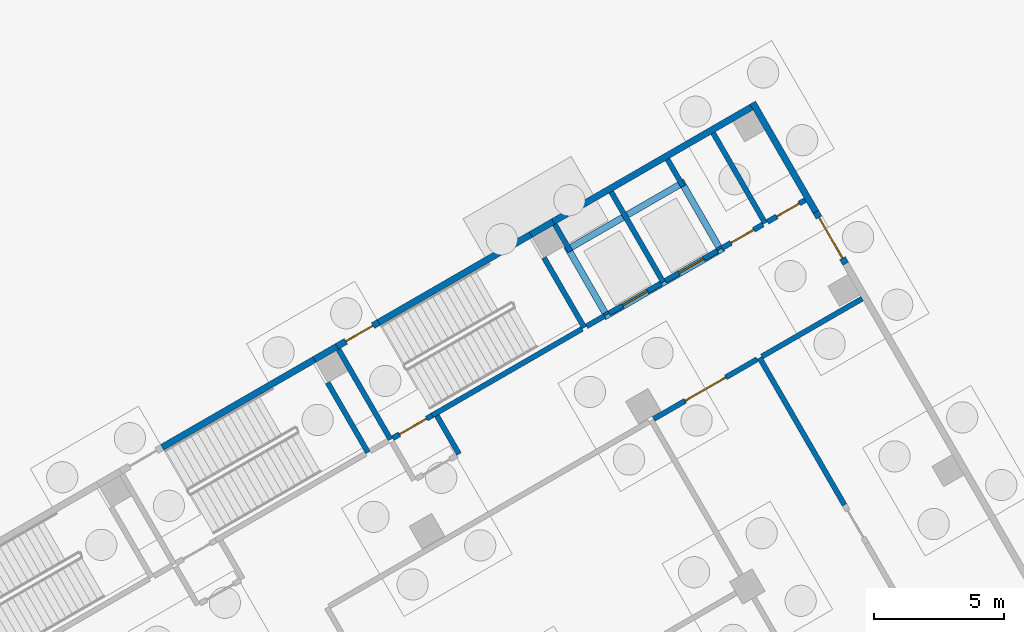
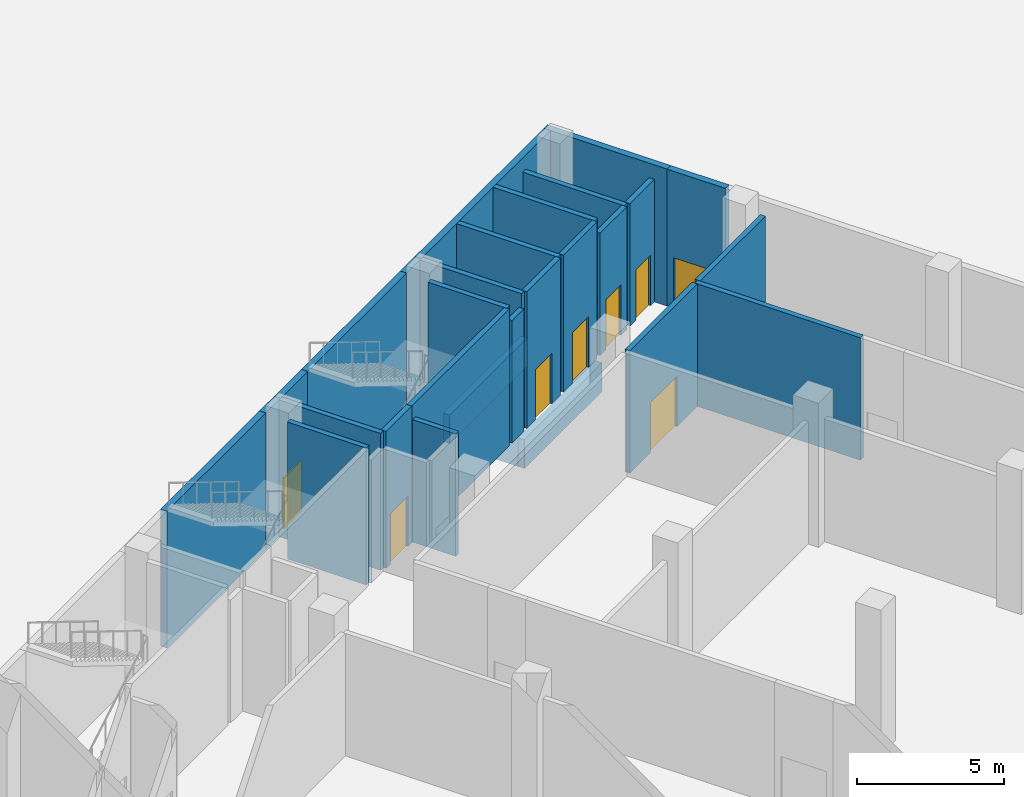
# One storey, part 25 of 38: 30 walls, 8 doors, 8 openings.
"""IFC4 building model written with IfcOpenShell, lengths in metres."""

from ifc_helpers import new_model, si_unit, direction, frame, frame_2d, origin, place, context, subcontext, project, spatial, rectangle, extrude, material, layer, layer_set, type_object, element, fill, save


model = new_model("IFC4")

# Units and contexts
model_context = context("Model", 3, precision=1e-05, world=origin(), true_north=direction((0.0, 1.0)))
body_context = subcontext(model_context, "Body", "Model", "MODEL_VIEW")
ifc_project = project(units=[si_unit("LENGTHUNIT", "METRE"), si_unit("AREAUNIT", "SQUARE_METRE"), si_unit("VOLUMEUNIT", "CUBIC_METRE"), si_unit("PLANEANGLEUNIT", "RADIAN"), si_unit("MASSUNIT", "GRAM", prefix="KILO")], contexts=[model_context])

# Site, building, storey
site_placement = place(None, origin())
site = spatial("IfcSite", under=ifc_project, at=site_placement, CompositionType="ELEMENT")
building_placement = place(site_placement, origin())
building = spatial("IfcBuilding", under=site, at=building_placement, Name="Mestral Congress Tower", CompositionType="ELEMENT")
storey_placement = place(building_placement, origin())
storey = spatial("IfcBuildingStorey", under=building, at=storey_placement, Name="L00", CompositionType="ELEMENT", Elevation=0.0)

# Walls
ifc_material_1 = material(Name="Concrete C35/45", Category="concrete")
ifc_layer_1 = layer(ifc_material_1, 0.25)
ifc_layer_set_1 = layer_set([ifc_layer_1], Name="Concrete C35/45")
wall_type_1 = type_object("IfcWallType", Name="Lift pit wall 250 C35/45", PredefinedType="SOLIDWALL", material=ifc_layer_set_1)
wall_1_placement = place(storey_placement, frame((38.193603515625, 63.302734375, -1.5), z_axis=(0.0, 0.0, 1.0), x_axis=(0.866009148195, 0.50002815445, 0.0)))
element("IfcWall", 1, at=wall_1_placement, inside=storey, type_object=wall_type_1, Name="WL-PIT-E1-A", PredefinedType="SOLIDWALL", context=body_context, shape_type="SweptSolid", body=[
    extrude(rectangle(XDim=5.300048828125, YDim=0.25, at=frame_2d((2.64990234375, 0.0))), origin(), (0.0, 0.0, 1.0), 1.199951171875),
])
wall_2_placement = place(storey_placement, frame((36.718505859375, 65.857421875, -1.5), z_axis=(0.0, 0.0, 1.0), x_axis=(0.866020664882, 0.50000820793, 0.0)))
element("IfcWall", 2, at=wall_2_placement, inside=storey, type_object=wall_type_1, Name="WL-PIT-E1-B", PredefinedType="SOLIDWALL", context=body_context, shape_type="SweptSolid", body=[
    extrude(rectangle(XDim=5.30029296875, YDim=0.25, at=frame_2d((2.650146484375, 0.0))), origin(), (0.0, 0.0, 1.0), 1.199951171875),
])
wall_3_placement = place(storey_placement, frame((38.2392578125, 63.473388671875, -1.5), z_axis=(0.0, 0.0, 1.0), x_axis=(-0.4999416173, 0.866059108428, 0.0)))
element("IfcWall", 3, at=wall_3_placement, inside=storey, type_object=wall_type_1, Name="WL-PIT-E1-C", PredefinedType="SOLIDWALL", context=body_context, shape_type="SweptSolid", body=[
    extrude(rectangle(XDim=2.699951171875, YDim=0.25, at=frame_2d((1.35009765625, 0.0))), origin(), (0.0, 0.0, 1.0), 1.199951171875),
])
wall_4_placement = place(storey_placement, frame((42.61279296875, 65.99853515625, -1.5), z_axis=(0.0, 0.0, 1.0), x_axis=(-0.50000943426, 0.866019956843, 0.0)))
element("IfcWall", 4, at=wall_4_placement, inside=storey, type_object=wall_type_1, Name="WL-PIT-E1-D", PredefinedType="SOLIDWALL", context=body_context, shape_type="SweptSolid", body=[
    extrude(rectangle(XDim=2.7001953125, YDim=0.25, at=frame_2d((1.35009765625, 0.0))), origin(), (0.0, 0.0, 1.0), 1.199951171875),
])

# Wall, opening, door
ifc_material_2 = material(Name="Precast concrete C40/50 with limestone facing", Category="masonry")
ifc_layer_2 = layer(ifc_material_2, 0.25)
ifc_layer_set_2 = layer_set([ifc_layer_2], Name="Precast concrete C40/50 with limestone facing")
wall_type_2 = type_object("IfcWallType", Name="Podium external wall 250", PredefinedType="SOLIDWALL", material=ifc_layer_set_2)
wall_5_placement = place(storey_placement, frame((46.34033203125, 67.34228515625, 0.0), z_axis=(0.0, 0.0, 1.0), x_axis=(0.499998129301, -0.86602648383, 0.0)))
wall_5 = element("IfcWall", 5, at=wall_5_placement, inside=storey, type_object=wall_type_2, Name="L00 external wall", PredefinedType="SOLIDWALL", context=body_context, shape_type="SweptSolid", body=[
    extrude(rectangle(XDim=2.2998046875, YDim=0.25, at=frame_2d((1.14990234375, 0.0))), origin(), (0.0, 0.0, 1.0), 5.699951171875),
])
opening_1_placement = place(wall_5_placement, frame((0.25, 0.0, 0.0)))
opening_1 = element("IfcOpeningElement", 6, at=opening_1_placement, cuts=wall_5, Name="Opening P00-012", PredefinedType="OPENING", context=body_context, shape_type="SweptSolid", body=[
    extrude(rectangle(XDim=1.800048828125, YDim=2.10009765625, at=frame_2d((0.89990234375, 1.050048828125))), frame((0.0, 0.135009765625, 0.0), z_axis=(0.0, -1.0, 0.0), x_axis=(1.0, 0.0, 0.0)), (0.0, 0.0, 1.0), 0.27001953125),
])
ifc_material_3 = material(Name="Steel and glass door set", Category="steel")
door_type_1 = type_object("IfcDoorType", Name="Podium exit door 1800x2100", OperationType="DOUBLE_DOOR_SINGLE_SWING", PredefinedType="DOOR", material=ifc_material_3)
door_1_placement = place(opening_1_placement, origin())
door_1 = element("IfcDoor", 7, at=door_1_placement, inside=storey, type_object=door_type_1, Name="Door P00-012", OperationType="DOUBLE_DOOR_SINGLE_SWING", OverallHeight=2.10009765625, OverallWidth=1.800048828125, PredefinedType="DOOR", context=body_context, shape_type="SweptSolid", body=[
    extrude(rectangle(XDim=1.800048828125, YDim=2.10009765625, at=frame_2d((0.89990234375, 1.050048828125))), frame((0.0, 0.02490234375, 0.0), z_axis=(0.0, -1.0, 0.0), x_axis=(1.0, 0.0, 0.0)), (0.0, 0.0, 1.0), 0.050048828125),
])
fill(opening_1, door_1)

# Walls
wall_6_placement = place(storey_placement, frame((43.915283203125, 71.54248046875, 0.0), z_axis=(0.0, 0.0, 1.0), x_axis=(0.500010041276, -0.866019606374, 0.0)))
element("IfcWall", 8, at=wall_6_placement, inside=storey, type_object=wall_type_2, Name="L00 external wall", PredefinedType="SOLIDWALL", context=body_context, shape_type="SweptSolid", body=[
    extrude(rectangle(XDim=4.85009765625, YDim=0.25, at=frame_2d((2.425048828125, 0.0))), origin(), (0.0, 0.0, 1.0), 5.699951171875),
])
wall_7_placement = place(storey_placement, frame((21.222900390625, 58.296875, 0.0), z_axis=(0.0, 0.0, 1.0), x_axis=(0.866026575979, 0.499997969693, 0.0)))
element("IfcWall", 9, at=wall_7_placement, inside=storey, type_object=wall_type_2, Name="L00 external wall", PredefinedType="SOLIDWALL", context=body_context, shape_type="SweptSolid", body=[
    extrude(rectangle(XDim=6.75, YDim=0.25, at=frame_2d((3.375, 0.0))), origin(), (0.0, 0.0, 1.0), 5.699951171875),
])

# Wall, opening, door
wall_8_placement = place(storey_placement, frame((27.9345703125, 62.171875, 0.0), z_axis=(0.0, 0.0, 1.0), x_axis=(0.866091100096, 0.499886193382, 0.0)))
wall_8 = element("IfcWall", 10, at=wall_8_placement, inside=storey, type_object=wall_type_2, Name="L00 external wall", PredefinedType="SOLIDWALL", context=body_context, shape_type="SweptSolid", body=[
    extrude(rectangle(XDim=1.85009765625, YDim=0.25, at=frame_2d((0.925048828125, 0.0))), origin(), (0.0, 0.0, 1.0), 5.699951171875),
])
opening_2_placement = place(wall_8_placement, frame((0.39990234375, 0.0, 0.0)))
opening_2 = element("IfcOpeningElement", 11, at=opening_2_placement, cuts=wall_8, Name="Opening P00-019", PredefinedType="OPENING", context=body_context, shape_type="SweptSolid", body=[
    extrude(rectangle(XDim=1.199951171875, YDim=2.10009765625, at=frame_2d((0.60009765625, 1.050048828125))), frame((0.0, 0.135009765625, 0.0), z_axis=(0.0, -1.0, 0.0), x_axis=(1.0, 0.0, 0.0)), (0.0, 0.0, 1.0), 0.27001953125),
])
door_type_2 = type_object("IfcDoorType", Name="Podium exit door 1200x2100", OperationType="SINGLE_SWING_LEFT", PredefinedType="DOOR", material=ifc_material_3)
door_2_placement = place(opening_2_placement, origin())
door_2 = element("IfcDoor", 12, at=door_2_placement, inside=storey, type_object=door_type_2, Name="Door P00-019", OperationType="SINGLE_SWING_LEFT", OverallHeight=2.10009765625, OverallWidth=1.199951171875, PredefinedType="DOOR", context=body_context, shape_type="SweptSolid", body=[
    extrude(rectangle(XDim=1.199951171875, YDim=2.10009765625, at=frame_2d((0.60009765625, 1.050048828125))), frame((0.0, 0.02490234375, 0.0), z_axis=(0.0, -1.0, 0.0), x_axis=(1.0, 0.0, 0.0)), (0.0, 0.0, 1.0), 0.050048828125),
])
fill(opening_2, door_2)

# Walls
wall_9_placement = place(storey_placement, frame((29.536865234375, 63.0966796875, 0.0), z_axis=(0.0, 0.0, 1.0), x_axis=(0.866026575979, 0.499997969693, 0.0)))
element("IfcWall", 13, at=wall_9_placement, inside=storey, type_object=wall_type_2, Name="L00 external wall", PredefinedType="SOLIDWALL", context=body_context, shape_type="SweptSolid", body=[
    extrude(rectangle(XDim=6.75, YDim=0.25, at=frame_2d((3.375, 0.0))), origin(), (0.0, 0.0, 1.0), 5.699951171875),
])
wall_10_placement = place(storey_placement, frame((36.24853515625, 66.9716796875, 0.0), z_axis=(0.0, 0.0, 1.0), x_axis=(0.866013253925, 0.500021043584, 0.0)))
element("IfcWall", 14, at=wall_10_placement, inside=storey, type_object=wall_type_2, Name="L00 external wall", PredefinedType="SOLIDWALL", context=body_context, shape_type="SweptSolid", body=[
    extrude(rectangle(XDim=8.7998046875, YDim=0.25, at=frame_2d((4.39990234375, 0.0))), origin(), (0.0, 0.0, 1.0), 5.699951171875),
])
for number, where, z_axis, x_axis, name in (
    (15, (27.068603515625, 61.671875, 0.0), (0.0, 0.0, 1.0), (0.866010750942, 0.50002537861, 0.0), "L00 external wall"),
    (16, (35.382568359375, 66.4716796875, 0.0), (0.0, 0.0, 1.0), (0.866010750942, 0.50002537861, 0.0), "L00 external wall"),
):
    element("IfcWall", number, at=place(storey_placement, frame(where, z_axis=z_axis, x_axis=x_axis)), inside=storey, type_object=wall_type_2, Name=name, PredefinedType="SOLIDWALL", context=body_context, shape_type="SweptSolid", body=[
        extrude(rectangle(XDim=1.0, YDim=0.25, at=frame_2d((0.5, 0.0))), origin(), (0.0, 0.0, 1.0), 5.699951171875),
    ])
ifc_material_4 = material(Name="Masonry block wall", Category="masonry")
ifc_layer_3 = layer(ifc_material_4, 0.199951171875)
ifc_layer_set_3 = layer_set([ifc_layer_3], Name="Masonry block wall")
wall_type_3 = type_object("IfcWallType", Name="Podium stair enclosure wall 200 EI 120 load-bearing", PredefinedType="SOLIDWALL", material=ifc_layer_set_3)
wall_11_placement = place(storey_placement, frame((29.131103515625, 58.099365234375, 0.0), z_axis=(0.0, 0.0, 1.0), x_axis=(-0.49999285859, 0.86602952684, 0.0)))
element("IfcWall", 17, at=wall_11_placement, inside=storey, type_object=wall_type_3, Name="L00 partition", PredefinedType="SOLIDWALL", context=body_context, shape_type="SweptSolid", body=[
    extrude(rectangle(XDim=3.10009765625, YDim=0.199951171875, at=frame_2d((1.550048828125, 0.0))), origin(), (0.0, 0.0, 1.0), 5.699951171875),
])
wall_12_placement = place(storey_placement, frame((29.9970703125, 58.599365234375, 0.0), z_axis=(0.0, 0.0, 1.0), x_axis=(-0.49999894854, 0.866026010844, 0.0)))
element("IfcWall", 18, at=wall_12_placement, inside=storey, type_object=wall_type_3, Name="L00 partition", PredefinedType="SOLIDWALL", context=body_context, shape_type="SweptSolid", body=[
    extrude(rectangle(XDim=4.0, YDim=0.199951171875, at=frame_2d((2.0, 0.0))), origin(), (0.0, 0.0, 1.0), 5.699951171875),
])
wall_13_placement = place(storey_placement, frame((37.445068359375, 62.8994140625, 0.0), z_axis=(0.0, 0.0, 1.0), x_axis=(-0.500026960575, 0.86600983753, 0.0)))
element("IfcWall", 19, at=wall_13_placement, inside=storey, type_object=wall_type_3, Name="L00 partition", PredefinedType="SOLIDWALL", context=body_context, shape_type="SweptSolid", body=[
    extrude(rectangle(XDim=3.099853515625, YDim=0.199951171875, at=frame_2d((1.5498046875, 0.0))), origin(), (0.0, 0.0, 1.0), 5.699951171875),
])

# Wall, opening, door
wall_14_placement = place(storey_placement, frame((30.083740234375, 58.6494140625, 0.0), z_axis=(0.0, 0.0, 1.0), x_axis=(0.866036909293, 0.499980071345, 0.0)))
wall_14 = element("IfcWall", 20, at=wall_14_placement, inside=storey, type_object=wall_type_3, Name="L00 partition", PredefinedType="SOLIDWALL", context=body_context, shape_type="SweptSolid", body=[
    extrude(rectangle(XDim=1.75, YDim=0.199951171875, at=frame_2d((0.875, 0.0))), origin(), (0.0, 0.0, 1.0), 5.699951171875),
])
opening_3_placement = place(wall_14_placement, frame((0.300048828125, 0.0, 0.0)))
opening_3 = element("IfcOpeningElement", 21, at=opening_3_placement, cuts=wall_14, Name="Opening P00-025", PredefinedType="OPENING", context=body_context, shape_type="SweptSolid", body=[
    extrude(rectangle(XDim=1.199951171875, YDim=2.10009765625, at=frame_2d((0.60009765625, 1.050048828125))), frame((0.0, 0.10986328125, 0.0), z_axis=(0.0, -1.0, 0.0), x_axis=(1.0, 0.0, 0.0)), (0.0, 0.0, 1.0), 0.219970703125),
])
ifc_material_5 = material(Name="Fire-rated steel door set", Category="steel")
door_type_3 = type_object("IfcDoorType", Name="Podium stair door 1200x2100 EI2 30-C5", OperationType="SINGLE_SWING_LEFT", PredefinedType="DOOR", material=ifc_material_5)
door_3_placement = place(opening_3_placement, origin())
door_3 = element("IfcDoor", 22, at=door_3_placement, inside=storey, type_object=door_type_3, Name="Door P00-025", OperationType="SINGLE_SWING_LEFT", OverallHeight=2.10009765625, OverallWidth=1.199951171875, PredefinedType="DOOR", context=body_context, shape_type="SweptSolid", body=[
    extrude(rectangle(XDim=1.199951171875, YDim=2.10009765625, at=frame_2d((0.60009765625, 1.050048828125))), frame((0.0, 0.02490234375, 0.0), z_axis=(0.0, -1.0, 0.0), x_axis=(1.0, 0.0, 0.0)), (0.0, 0.0, 1.0), 0.050048828125),
])
fill(opening_3, door_3)

# Walls
wall_15_placement = place(storey_placement, frame((31.599365234375, 59.5244140625, 0.0), z_axis=(0.0, 0.0, 1.0), x_axis=(0.866027239912, 0.49999681972, 0.0)))
element("IfcWall", 23, at=wall_15_placement, inside=storey, type_object=wall_type_3, Name="L00 partition", PredefinedType="SOLIDWALL", context=body_context, shape_type="SweptSolid", body=[
    extrude(rectangle(XDim=6.64990234375, YDim=0.199951171875, at=frame_2d((3.324951171875, 0.0))), origin(), (0.0, 0.0, 1.0), 5.699951171875),
])
for number, where, z_axis, x_axis, name in (
    (24, (38.31103515625, 63.3994140625, 0.0), (0.0, 0.0, 1.0), (-0.49999894854, 0.866026010844, 0.0), "L00 partition"),
    (25, (40.47607421875, 64.6494140625, 0.0), (0.0, 0.0, 1.0), (-0.49999894854, 0.866026010844, 0.0), "L00 partition"),
    (26, (42.64111328125, 65.8994140625, 0.0), (0.0, 0.0, 1.0), (-0.49999894854, 0.866026010844, 0.0), "L00 partition"),
):
    element("IfcWall", number, at=place(storey_placement, frame(where, z_axis=z_axis, x_axis=x_axis)), inside=storey, type_object=wall_type_3, Name=name, PredefinedType="SOLIDWALL", context=body_context, shape_type="SweptSolid", body=[
        extrude(rectangle(XDim=4.0, YDim=0.199951171875, at=frame_2d((2.0, 0.0))), origin(), (0.0, 0.0, 1.0), 5.699951171875),
    ])

# Wall, opening, door
wall_16_placement = place(storey_placement, frame((38.397705078125, 63.449462890625, 0.0), z_axis=(0.0, 0.0, 1.0), x_axis=(0.86602648383, 0.499998129301, 0.0)))
wall_16 = element("IfcWall", 27, at=wall_16_placement, inside=storey, type_object=wall_type_3, Name="L00 partition", PredefinedType="SOLIDWALL", context=body_context, shape_type="SweptSolid", body=[
    extrude(rectangle(XDim=2.2998046875, YDim=0.199951171875, at=frame_2d((1.14990234375, 0.0))), origin(), (0.0, 0.0, 1.0), 5.699951171875),
])
opening_4_placement = place(wall_16_placement, frame((0.60009765625, 0.0, 0.0)))
opening_4 = element("IfcOpeningElement", 28, at=opening_4_placement, cuts=wall_16, Name="Opening P00-028", PredefinedType="OPENING", context=body_context, shape_type="SweptSolid", body=[
    extrude(rectangle(XDim=1.10009765625, YDim=2.10009765625, at=frame_2d((0.550048828125, 1.050048828125))), frame((0.0, 0.10986328125, 0.0), z_axis=(0.0, -1.0, 0.0), x_axis=(1.0, 0.0, 0.0)), (0.0, 0.0, 1.0), 0.219970703125),
])
door_type_4 = type_object("IfcDoorType", Name="Podium lift landing door 1100x2100 EI2 60-C5", OperationType="DOUBLE_DOOR_SLIDING", PredefinedType="DOOR", material=ifc_material_5)
door_4_placement = place(opening_4_placement, origin())
door_4 = element("IfcDoor", 29, at=door_4_placement, inside=storey, type_object=door_type_4, Name="Door P00-028", OperationType="DOUBLE_DOOR_SLIDING", OverallHeight=2.10009765625, OverallWidth=1.10009765625, PredefinedType="DOOR", context=body_context, shape_type="SweptSolid", body=[
    extrude(rectangle(XDim=1.10009765625, YDim=2.10009765625, at=frame_2d((0.550048828125, 1.050048828125))), frame((0.0, 0.02490234375, 0.0), z_axis=(0.0, -1.0, 0.0), x_axis=(1.0, 0.0, 0.0)), (0.0, 0.0, 1.0), 0.050048828125),
])
fill(opening_4, door_4)

wall_17_placement = place(storey_placement, frame((40.562744140625, 64.699462890625, 0.0), z_axis=(0.0, 0.0, 1.0), x_axis=(0.86602648383, 0.499998129301, 0.0)))
wall_17 = element("IfcWall", 30, at=wall_17_placement, inside=storey, type_object=wall_type_3, Name="L00 partition", PredefinedType="SOLIDWALL", context=body_context, shape_type="SweptSolid", body=[
    extrude(rectangle(XDim=2.2998046875, YDim=0.199951171875, at=frame_2d((1.14990234375, 0.0))), origin(), (0.0, 0.0, 1.0), 5.699951171875),
])
opening_5_placement = place(wall_17_placement, frame((0.60009765625, 0.0, 0.0)))
opening_5 = element("IfcOpeningElement", 31, at=opening_5_placement, cuts=wall_17, Name="Opening P00-029", PredefinedType="OPENING", context=body_context, shape_type="SweptSolid", body=[
    extrude(rectangle(XDim=1.10009765625, YDim=2.10009765625, at=frame_2d((0.550048828125, 1.050048828125))), frame((0.0, 0.10986328125, 0.0), z_axis=(0.0, -1.0, 0.0), x_axis=(1.0, 0.0, 0.0)), (0.0, 0.0, 1.0), 0.219970703125),
])
door_5_placement = place(opening_5_placement, origin())
door_5 = element("IfcDoor", 32, at=door_5_placement, inside=storey, type_object=door_type_4, Name="Door P00-029", OperationType="DOUBLE_DOOR_SLIDING", OverallHeight=2.10009765625, OverallWidth=1.10009765625, PredefinedType="DOOR", context=body_context, shape_type="SweptSolid", body=[
    extrude(rectangle(XDim=1.10009765625, YDim=2.10009765625, at=frame_2d((0.550048828125, 1.050048828125))), frame((0.0, 0.02490234375, 0.0), z_axis=(0.0, -1.0, 0.0), x_axis=(1.0, 0.0, 0.0)), (0.0, 0.0, 1.0), 0.050048828125),
])
fill(opening_5, door_5)

# Walls
ifc_material_6 = material(Name="Fire-rated board partition")
ifc_layer_4 = layer(ifc_material_6, 0.199951171875)
ifc_layer_set_4 = layer_set([ifc_layer_4], Name="Fire-rated board partition")
wall_type_4 = type_object("IfcWallType", Name="Podium vestibule wall 200 EI 120", PredefinedType="PARTITIONING", material=ifc_layer_set_4)
wall_18_placement = place(storey_placement, frame((32.629150390625, 58.04052734375, 0.0), z_axis=(0.0, 0.0, 1.0), x_axis=(-0.499954529098, 0.86605165483, 0.0)))
element("IfcWall", 33, at=wall_18_placement, inside=storey, type_object=wall_type_4, Name="L00 partition", PredefinedType="PARTITIONING", context=body_context, shape_type="SweptSolid", body=[
    extrude(rectangle(XDim=1.699951171875, YDim=0.199951171875, at=frame_2d((0.85009765625, 0.0))), origin(), (0.0, 0.0, 1.0), 5.10009765625),
])
wall_19_placement = place(storey_placement, frame((44.394775390625, 66.911865234375, 0.0), z_axis=(0.0, 0.0, 1.0), x_axis=(-0.49999894854, 0.866026010844, 0.0)))
element("IfcWall", 34, at=wall_19_placement, inside=storey, type_object=wall_type_4, Name="L00 partition", PredefinedType="PARTITIONING", context=body_context, shape_type="SweptSolid", body=[
    extrude(rectangle(XDim=4.0, YDim=0.199951171875, at=frame_2d((2.0, 0.0))), origin(), (0.0, 0.0, 1.0), 5.10009765625),
])

# Wall, opening, door
wall_20_placement = place(storey_placement, frame((42.727783203125, 65.949462890625, 0.0), z_axis=(0.0, 0.0, 1.0), x_axis=(0.866036312054, 0.499981105847, 0.0)))
wall_20 = element("IfcWall", 35, at=wall_20_placement, inside=storey, type_object=wall_type_4, Name="L00 partition", PredefinedType="PARTITIONING", context=body_context, shape_type="SweptSolid", body=[
    extrude(rectangle(XDim=1.82470703125, YDim=0.199951171875, at=frame_2d((0.912353515625, 0.0))), origin(), (0.0, 0.0, 1.0), 5.10009765625),
])
opening_6_placement = place(wall_20_placement, frame((0.41259765625, 0.0, 0.0)))
opening_6 = element("IfcOpeningElement", 36, at=opening_6_placement, cuts=wall_20, Name="Opening P00-041", PredefinedType="OPENING", context=body_context, shape_type="SweptSolid", body=[
    extrude(rectangle(XDim=1.0, YDim=2.10009765625, at=frame_2d((0.5, 1.050048828125))), frame((0.0, 0.10986328125, 0.0), z_axis=(0.0, -1.0, 0.0), x_axis=(1.0, 0.0, 0.0)), (0.0, 0.0, 1.0), 0.219970703125),
])
door_type_5 = type_object("IfcDoorType", Name="Podium room door 1000x2100 EI2 30-C5", OperationType="SINGLE_SWING_LEFT", PredefinedType="DOOR", material=ifc_material_5)
door_6_placement = place(opening_6_placement, origin())
door_6 = element("IfcDoor", 37, at=door_6_placement, inside=storey, type_object=door_type_5, Name="Door P00-041", OperationType="SINGLE_SWING_LEFT", OverallHeight=2.10009765625, OverallWidth=1.0, PredefinedType="DOOR", context=body_context, shape_type="SweptSolid", body=[
    extrude(rectangle(XDim=1.0, YDim=2.10009765625, at=frame_2d((0.5, 1.050048828125))), frame((0.0, 0.02490234375, 0.0), z_axis=(0.0, -1.0, 0.0), x_axis=(1.0, 0.0, 0.0)), (0.0, 0.0, 1.0), 0.050048828125),
])
fill(opening_6, door_6)

wall_21_placement = place(storey_placement, frame((44.4814453125, 66.9619140625, 0.0), z_axis=(0.0, 0.0, 1.0), x_axis=(0.866027799164, 0.499995851058, 0.0)))
wall_21 = element("IfcWall", 38, at=wall_21_placement, inside=storey, type_object=wall_type_4, Name="L00 partition", PredefinedType="PARTITIONING", context=body_context, shape_type="SweptSolid", body=[
    extrude(rectangle(XDim=1.6748046875, YDim=0.199951171875, at=frame_2d((0.83740234375, 0.0))), origin(), (0.0, 0.0, 1.0), 5.10009765625),
])
opening_7_placement = place(wall_21_placement, frame((0.41259765625, 0.0, 0.0)))
opening_7 = element("IfcOpeningElement", 39, at=opening_7_placement, cuts=wall_21, Name="Opening P00-042", PredefinedType="OPENING", context=body_context, shape_type="SweptSolid", body=[
    extrude(rectangle(XDim=1.0, YDim=2.10009765625, at=frame_2d((0.5, 1.050048828125))), frame((0.0, 0.10986328125, 0.0), z_axis=(0.0, -1.0, 0.0), x_axis=(1.0, 0.0, 0.0)), (0.0, 0.0, 1.0), 0.219970703125),
])
door_7_placement = place(opening_7_placement, origin())
door_7 = element("IfcDoor", 40, at=door_7_placement, inside=storey, type_object=door_type_5, Name="Door P00-042", OperationType="SINGLE_SWING_LEFT", OverallHeight=2.10009765625, OverallWidth=1.0, PredefinedType="DOOR", context=body_context, shape_type="SweptSolid", body=[
    extrude(rectangle(XDim=1.0, YDim=2.10009765625, at=frame_2d((0.5, 1.050048828125))), frame((0.0, 0.02490234375, 0.0), z_axis=(0.0, -1.0, 0.0), x_axis=(1.0, 0.0, 0.0)), (0.0, 0.0, 1.0), 0.050048828125),
])
fill(opening_7, door_7)

# Walls
wall_22_placement = place(storey_placement, frame((47.441650390625, 56.084716796875, 0.0), z_axis=(0.0, 0.0, 1.0), x_axis=(-0.499990197047, 0.866031063448, 0.0)))
element("IfcWall", 41, at=wall_22_placement, inside=storey, type_object=wall_type_4, Name="L00 partition", PredefinedType="PARTITIONING", context=body_context, shape_type="SweptSolid", body=[
    extrude(rectangle(XDim=6.525146484375, YDim=0.199951171875, at=frame_2d((3.2626953125, 0.0))), origin(), (0.0, 0.0, 1.0), 5.10009765625),
])
wall_23_placement = place(storey_placement, frame((44.265625, 61.78564453125, 0.0), z_axis=(0.0, 0.0, 1.0), x_axis=(0.866036664382, 0.499980495566, 0.0)))
element("IfcWall", 42, at=wall_23_placement, inside=storey, type_object=wall_type_4, Name="L00 partition", PredefinedType="PARTITIONING", context=body_context, shape_type="SweptSolid", body=[
    extrude(rectangle(XDim=4.449951171875, YDim=0.199951171875, at=frame_2d((2.22509765625, 0.0))), origin(), (0.0, 0.0, 1.0), 5.10009765625),
])

# Wall, opening, door
wall_24_placement = place(storey_placement, frame((40.10888671875, 59.385498046875, 0.0), z_axis=(0.0, 0.0, 1.0), x_axis=(0.866016770315, 0.500014953309, 0.0)))
wall_24 = element("IfcWall", 43, at=wall_24_placement, inside=storey, type_object=wall_type_4, Name="L00 partition", PredefinedType="PARTITIONING", context=body_context, shape_type="SweptSolid", body=[
    extrude(rectangle(XDim=4.599853515625, YDim=0.199951171875, at=frame_2d((2.2998046875, 0.0))), origin(), (0.0, 0.0, 1.0), 5.10009765625),
])
opening_8_placement = place(wall_24_placement, frame((1.39990234375, 0.0, 0.0)))
opening_8 = element("IfcOpeningElement", 44, at=opening_8_placement, cuts=wall_24, Name="Opening P00-057", PredefinedType="OPENING", context=body_context, shape_type="SweptSolid", body=[
    extrude(rectangle(XDim=1.800048828125, YDim=2.10009765625, at=frame_2d((0.89990234375, 1.050048828125))), frame((0.0, 0.10986328125, 0.0), z_axis=(0.0, -1.0, 0.0), x_axis=(1.0, 0.0, 0.0)), (0.0, 0.0, 1.0), 0.219970703125),
])
door_type_6 = type_object("IfcDoorType", Name="Podium room door 1800x2100 EI2 30-C5", OperationType="DOUBLE_DOOR_SINGLE_SWING", PredefinedType="DOOR", material=ifc_material_5)
door_8_placement = place(opening_8_placement, origin())
door_8 = element("IfcDoor", 45, at=door_8_placement, inside=storey, type_object=door_type_6, Name="Door P00-057", OperationType="DOUBLE_DOOR_SINGLE_SWING", OverallHeight=2.10009765625, OverallWidth=1.800048828125, PredefinedType="DOOR", context=body_context, shape_type="SweptSolid", body=[
    extrude(rectangle(XDim=1.800048828125, YDim=2.10009765625, at=frame_2d((0.89990234375, 1.050048828125))), frame((0.0, 0.02490234375, 0.0), z_axis=(0.0, -1.0, 0.0), x_axis=(1.0, 0.0, 0.0)), (0.0, 0.0, 1.0), 0.050048828125),
])
fill(opening_8, door_8)

# Wall
wall_25_placement = place(storey_placement, frame((37.531494140625, 62.949462890625, 0.0), z_axis=(0.0, 0.0, 1.0), x_axis=(0.866094119867, 0.499880961361, 0.0)))
element("IfcWall", 46, at=wall_25_placement, inside=storey, type_object=wall_type_4, Name="L00 partition", PredefinedType="PARTITIONING", context=body_context, shape_type="SweptSolid", body=[
    extrude(rectangle(XDim=0.800048828125, YDim=0.199951171875, at=frame_2d((0.39990234375, 0.0))), origin(), (0.0, 0.0, 1.0), 5.10009765625),
])

save(model, "model.ifc")
